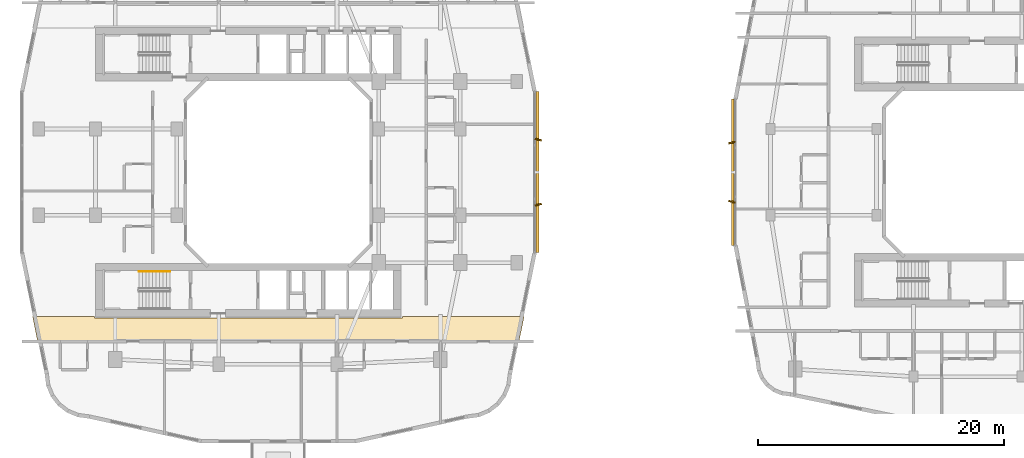
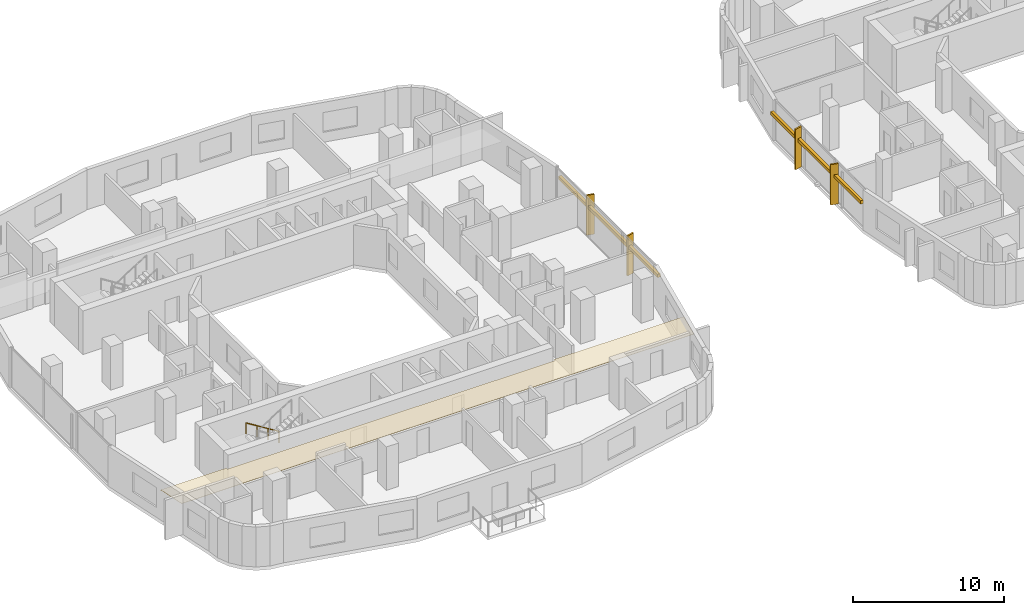
# One storey, part 19 of 22: 6 shading devices, 1 covering, 1 railing.
"""IFC4 building model written with IfcOpenShell, lengths in metres."""

from ifc_helpers import new_model, si_unit, derived_unit, direction, frame, origin, origin_2d, place, context, subcontext, project, spatial, polyline, rectangle, circle, outline, extrude, material, layer, layer_set, type_object, element, save


model = new_model("IFC4")

# Units and contexts
model_context = context("Model", 3, precision=1e-05, world=origin(), true_north=direction((0.0, 1.0)))
body_context = subcontext(model_context, "Body", "Model", "MODEL_VIEW")
ifc_project = project(units=[si_unit("LENGTHUNIT", "METRE"), si_unit("AREAUNIT", "SQUARE_METRE"), si_unit("VOLUMEUNIT", "CUBIC_METRE"), si_unit("PLANEANGLEUNIT", "RADIAN"), si_unit("MASSUNIT", "GRAM", prefix="KILO"), derived_unit("THERMALTRANSMITTANCEUNIT", [(si_unit("POWERUNIT", "WATT"), 1), (si_unit("LENGTHUNIT", "METRE"), -2), (si_unit("THERMODYNAMICTEMPERATUREUNIT", "KELVIN"), -1)])], contexts=[model_context])

# Site, building, storey
site_placement = place(None, origin())
site = spatial("IfcSite", under=ifc_project, at=site_placement, CompositionType="ELEMENT")
building_placement = place(site_placement, origin())
building = spatial("IfcBuilding", under=site, at=building_placement, Name="Kivonza Crest Hotel", CompositionType="ELEMENT")
storey_placement = place(building_placement, frame((0.0, 0.0, 48.5)))
storey = spatial("IfcBuildingStorey", under=building, at=storey_placement, Name="L12", CompositionType="ELEMENT", Elevation=48.5)

# Covering
ifc_material_1 = material(Name="Mineral-fibre acoustic ceiling tile", Category="gypsum")
ifc_layer = layer(ifc_material_1, 0.02490234375)
ifc_layer_set = layer_set([ifc_layer], Name="Mineral-fibre acoustic ceiling tile")
covering_type = type_object("IfcCoveringType", Name="CV-CEIL-ACOU", PredefinedType="CEILING", material=ifc_layer_set)
covering_placement = place(storey_placement, frame((0.0, 0.0, 2.449951171875)))
element("IfcCovering", 1, at=covering_placement, inside=storey, type_object=covering_type, Name="L12 Hotel South Guest Corridor suspended ceiling", PredefinedType="CEILING", context=body_context, shape_type="SweptSolid", body=[
    extrude(outline(polyline([(31.10009765625, 13.2900390625), (31.10009765625, 13.139892578125), (6.10009765625, 13.139892578125), (6.10009765625, 13.280029296875), (1.083984375, 13.280029296875), (1.506103515625, 11.2099609375), (40.573974609375, 11.2099609375), (40.99609375, 13.280029296875), (33.090087890625, 13.280029296875), (33.090087890625, 13.2900390625), (31.10009765625, 13.2900390625)])), origin(), (0.0, 0.0, 1.0), 0.025146484375),
])

# Railing
ifc_material_2 = material(Name="Brushed stainless steel handrail", Category="steel")
railing_type = type_object("IfcRailingType", Name="RL-HAND-900", PredefinedType="HANDRAIL", material=ifc_material_2)
railing_placement = place(storey_placement, frame((12.239990234375, 16.949951171875, 0.175048828125)))
element("IfcRailing", 2, at=railing_placement, inside=storey, type_object=railing_type, Name="L12 ST-T1-S stair handrail 1", PredefinedType="HANDRAIL", context=body_context, shape_type="SweptSolid", body=[
    extrude(circle(Radius=0.02392578125, at=origin_2d()), frame((0.0, 0.0, 0.8759765625), z_axis=(-0.848007534815, 0.0, 0.529984170421), x_axis=(0.0, -1.0, 0.0)), (0.0, 0.0, 1.0), 2.9716796875),
    extrude(circle(Radius=0.02099609375, at=origin_2d()), origin(), (0.0, 0.0, 1.0), 0.851806640625),
    extrude(circle(Radius=0.02099609375, at=origin_2d()), frame((-0.840087890625, 0.0, 0.52490234375)), (0.0, 0.0, 1.0), 0.851806640625),
    extrude(circle(Radius=0.02099609375, at=origin_2d()), frame((-1.679931640625, 0.0, 1.050048828125)), (0.0, 0.0, 1.0), 0.851806640625),
    extrude(circle(Radius=0.02099609375, at=origin_2d()), frame((-2.52001953125, 0.0, 1.574951171875)), (0.0, 0.0, 1.0), 0.851806640625),
])

# Shading devices
ifc_material_3 = material(Name="Kiln-fired Nairobi red-ochre terracotta", Category="masonry")
shading_device_type_1 = type_object("IfcShadingDeviceType", Name="SH-BAGUETTE-300", PredefinedType="USERDEFINED", material=ifc_material_3)
shading_device_1_placement = place(storey_placement, frame((42.080078125, 25.0, 2.1240234375), z_axis=(0.0, 0.0, 1.0), x_axis=(0.0, 1.0, 0.0)))
element("IfcShadingDevice", 3, at=shading_device_1_placement, inside=storey, type_object=shading_device_type_1, Name="L12 terracotta baguette screen CW-T1-L12-17", ObjectType="BAGUETTE", PredefinedType="USERDEFINED", context=body_context, shape_type="SweptSolid", body=[
    extrude(rectangle(XDim=13.080078125, YDim=0.219970703125, at=origin_2d()), origin(), (0.0, 0.0, 1.0), 0.260009765625),
])
shading_device_2_placement = place(storey_placement, frame((57.919921875, 25.0, 2.14501953125), z_axis=(0.0, 0.0, 1.0), x_axis=(0.0, -1.0, 0.0)))
element("IfcShadingDevice", 4, at=shading_device_2_placement, inside=storey, type_object=shading_device_type_1, Name="L12 terracotta baguette screen CW-T2-L12-35", ObjectType="BAGUETTE", PredefinedType="USERDEFINED", context=body_context, shape_type="SweptSolid", body=[
    extrude(rectangle(XDim=11.8798828125, YDim=0.219970703125, at=origin_2d()), origin(), (0.0, 0.0, 1.0), 0.260009765625),
])
ifc_material_4 = material(Name="Kiln-fired terracotta over extruded aluminium spine", Category="masonry")
shading_device_type_2 = type_object("IfcShadingDeviceType", Name="SH-FIN-550", PredefinedType="USERDEFINED", material=ifc_material_4)
for number, where, z_axis, x_axis, name in (
    (5, (42.139892578125, 22.360107421875, 0.0), (0.0, 0.0, 1.0), (-0.2419218956, 0.970295726276, 0.0), "L12 vertical solar shading fin CW-T1-L12-17-1"),
    (6, (42.139892578125, 27.639892578125, 0.0), (0.0, 0.0, 1.0), (0.2419218956, 0.970295726276, 0.0), "L12 vertical solar shading fin CW-T1-L12-17-2"),
):
    element("IfcShadingDevice", number, at=place(storey_placement, frame(where, z_axis=z_axis, x_axis=x_axis)), inside=storey, type_object=shading_device_type_2, Name=name, ObjectType="FIN", PredefinedType="USERDEFINED", context=body_context, shape_type="SweptSolid", body=[
        extrude(rectangle(XDim=0.1201171875, YDim=0.550048828125, at=origin_2d()), origin(), (0.0, 0.0, 1.0), 3.219970703125),
    ])
for number, where, z_axis, x_axis, name in (
    (7, (57.860107421875, 27.39990234375, 0.0), (0.0, 0.0, 1.0), (0.2419218956, -0.970295726276, 0.0), "L12 vertical solar shading fin CW-T2-L12-35-1"),
    (8, (57.860107421875, 22.60009765625, 0.0), (0.0, 0.0, 1.0), (-0.2419218956, -0.970295726276, 0.0), "L12 vertical solar shading fin CW-T2-L12-35-2"),
):
    element("IfcShadingDevice", number, at=place(storey_placement, frame(where, z_axis=z_axis, x_axis=x_axis)), inside=storey, type_object=shading_device_type_2, Name=name, ObjectType="FIN", PredefinedType="USERDEFINED", context=body_context, shape_type="SweptSolid", body=[
        extrude(rectangle(XDim=0.1201171875, YDim=0.550048828125, at=origin_2d()), origin(), (0.0, 0.0, 1.0), 3.25),
    ])

save(model, "model.ifc")
